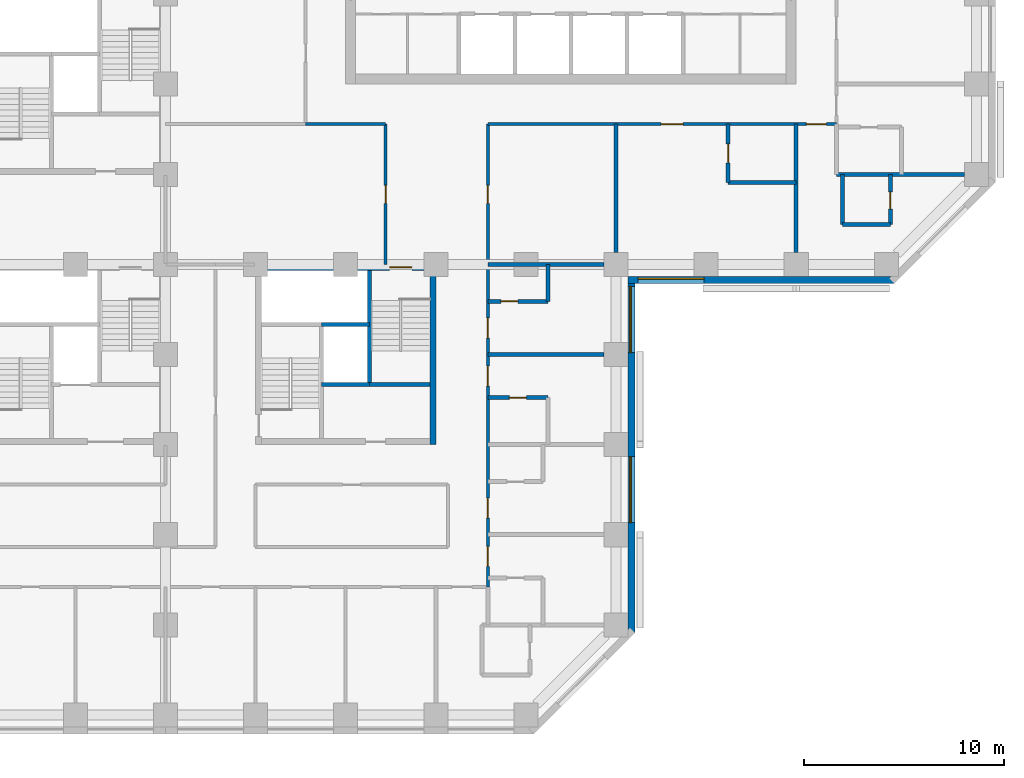
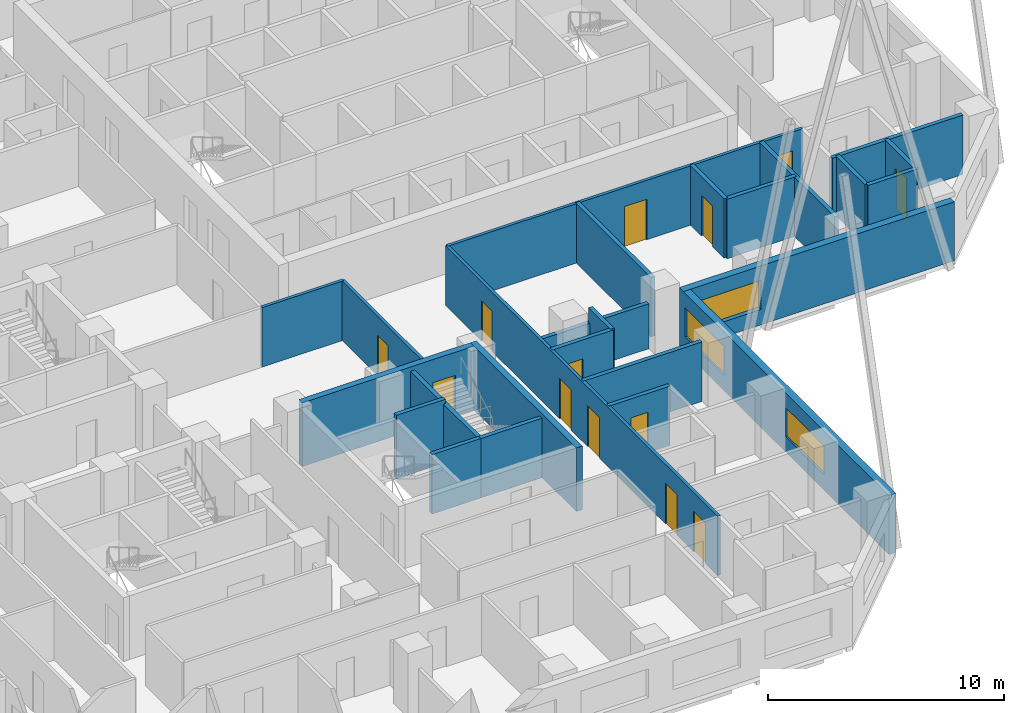
# One storey, part 6 of 14: 25 walls, 13 doors, 3 windows, 16 openings.
"""IFC4 building model written with IfcOpenShell, lengths in metres."""

import ifcopenshell
import ifcopenshell.guid

model = None  # the IFC model being written
_history = None  # IfcOwnerHistory: only IFC2X3 demands one
_inside = {}  # id of a spatial element -> (the spatial element, [elements in it])
_under = {}  # id of a project, library or spatial element -> (it, [spatial elements below it])
_declared = {}  # id of a project -> (the project, [libraries it declares])
_typed = {}  # id of a type object -> (the type object, [elements of that type])
_made_of = {}  # id of a material, layer set ... -> (it, [elements and type objects made of it])


def new_model(schema):
    """Start an empty IFC model of exactly this schema.

    Asked for "IFC4X3", IfcOpenShell would pick the latest addendum, in which some entities
    have other attributes; the version numbers below select the first issue.
    IFC2X3 requires an IfcOwnerHistory on every rooted entity: one is made here for all.
    """
    global model, _history
    if schema == "IFC4X3":
        model = ifcopenshell.file(schema_version=(4, 3, 0, 0))
    else:
        model = ifcopenshell.file(schema=schema)
    _inside.clear()
    _under.clear()
    _declared.clear()
    _typed.clear()
    _made_of.clear()
    _history = None
    if model.schema == "IFC2X3":
        org = make("IfcOrganization", Name="unknown")
        user = make(
            "IfcPersonAndOrganization",
            ThePerson=make("IfcPerson", FamilyName="unknown"),
            TheOrganization=org,
        )
        app = make(
            "IfcApplication",
            ApplicationDeveloper=org,
            Version="unknown",
            ApplicationFullName="unknown",
            ApplicationIdentifier="unknown",
        )
        _history = make(
            "IfcOwnerHistory",
            OwningUser=user,
            OwningApplication=app,
            ChangeAction="ADDED",
            CreationDate=0,
        )
    return model


def make(cls, **values):
    """One entity of the class cls with the attributes given. An attribute that is None is left unset."""
    return model.create_entity(
        cls, **{name: value for name, value in values.items() if value is not None}
    )


def rooted(cls, **values):
    """An entity with a GlobalId (a new one), such as an element, a storey or a relation."""
    return make(cls, GlobalId=ifcopenshell.guid.new(), OwnerHistory=_history, **values)


def si_unit(unit_type, name, prefix=None):
    """IfcSIUnit, for example si_unit("LENGTHUNIT", "METRE", prefix="MILLI")."""
    return make("IfcSIUnit", UnitType=unit_type, Prefix=prefix, Name=name)


def assignment(units):
    """IfcUnitAssignment: the units of a project."""
    return None if units is None else make("IfcUnitAssignment", Units=units)


def point(xyz):
    """IfcCartesianPoint."""
    return None if xyz is None else make("IfcCartesianPoint", Coordinates=xyz)


def direction(xyz):
    """IfcDirection."""
    return None if xyz is None else make("IfcDirection", DirectionRatios=xyz)


def frame(location, z_axis=None, x_axis=None):
    """IfcAxis2Placement3D, a coordinate frame: its origin and axes. An axis left out is left unset."""
    return make(
        "IfcAxis2Placement3D",
        Location=point(location),
        Axis=direction(z_axis),
        RefDirection=direction(x_axis),
    )


def frame_2d(location, x_axis=None):
    """IfcAxis2Placement2D, a coordinate frame in the plane: its origin and x axis."""
    return make(
        "IfcAxis2Placement2D", Location=point(location), RefDirection=direction(x_axis)
    )


def origin():
    """The frame at (0, 0, 0) with its axes left unset."""
    return frame((0.0, 0.0, 0.0))


def place(relative_to, where):
    """IfcLocalPlacement: puts the frame where relative to a parent placement (None: the world)."""
    return make(
        "IfcLocalPlacement", PlacementRelTo=relative_to, RelativePlacement=where
    )


def context(
    kind, dimensions, precision=None, world=None, true_north=None, identifier=None
):
    """IfcGeometricRepresentationContext, for example the 3D "Model" context."""
    return make(
        "IfcGeometricRepresentationContext",
        ContextIdentifier=identifier,
        ContextType=kind,
        CoordinateSpaceDimension=dimensions,
        Precision=precision,
        WorldCoordinateSystem=world,
        TrueNorth=true_north,
    )


def subcontext(parent, identifier, kind, view, scale=None):
    """IfcGeometricRepresentationSubContext, for example "Body" below "Model"."""
    return make(
        "IfcGeometricRepresentationSubContext",
        ContextIdentifier=identifier,
        ContextType=kind,
        ParentContext=parent,
        TargetScale=scale,
        TargetView=view,
    )


def project(units=None, contexts=None):
    """IfcProject with its units and contexts."""
    return rooted(
        "IfcProject",
        Name="project",
        RepresentationContexts=contexts,
        UnitsInContext=assignment(units),
    )


def spatial(cls, under=None, at=None, **own):
    """A site, building, storey or space (cls), placed at a placement, below another one or the project."""
    s = rooted(cls, ObjectPlacement=at, **own)
    if under is not None:
        _under.setdefault(under.id(), (under, []))[1].append(s)
    return s


def profile(cls, at=None, kind="AREA", **sizes):
    """A parametric profile (cls). Its sizes go by their IFC names, for example OverallWidth=200.0."""
    return make(cls, ProfileType=kind, Position=at, **sizes)


def rectangle(**sizes):
    """IfcRectangleProfileDef."""
    return profile("IfcRectangleProfileDef", **sizes)


def extrude(swept, where, along, depth):
    """IfcExtrudedAreaSolid: the profile swept, set in the frame where, extruded along a direction by depth."""
    return make(
        "IfcExtrudedAreaSolid",
        SweptArea=swept,
        Position=where,
        ExtrudedDirection=direction(along),
        Depth=depth,
    )


def shape(context_of_items, identifier, shape_type, items):
    """IfcShapeRepresentation: the items that make up one representation, for example the "Body"."""
    return make(
        "IfcShapeRepresentation",
        ContextOfItems=context_of_items,
        RepresentationIdentifier=identifier,
        RepresentationType=shape_type,
        Items=items,
    )


def material(Name=None, Category=None):
    """IfcMaterial."""
    return make("IfcMaterial", Name=Name, Category=Category)


def layer(
    of_material, thickness, ventilated=None, Name=None, Category=None, Priority=None
):
    """IfcMaterialLayer: one layer of a wall or slab, of a material (None: an air gap)."""
    return make(
        "IfcMaterialLayer",
        Material=of_material,
        LayerThickness=thickness,
        IsVentilated=ventilated,
        Name=Name,
        Category=Category,
        Priority=Priority,
    )


def layer_set(layers, Name=None):
    """IfcMaterialLayerSet."""
    return make("IfcMaterialLayerSet", MaterialLayers=layers, LayerSetName=Name)


def constituent(of_material, Name=None, Category=None, fraction=None):
    """IfcMaterialConstituent: one of the materials an element consists of."""
    return make(
        "IfcMaterialConstituent",
        Name=Name,
        Material=of_material,
        Fraction=fraction,
        Category=Category,
    )


def constituent_set(constituents=None, Name=None):
    """IfcMaterialConstituentSet."""
    return make(
        "IfcMaterialConstituentSet", Name=Name, MaterialConstituents=constituents
    )


def made_of(thing, what):
    """Note that an element or type object is made of a material, layer set ...; save() writes the relation."""
    if what is not None:
        _made_of.setdefault(what.id(), (what, []))[1].append(thing)
    return thing


def type_object(cls, material=None, **own):
    """A type object (cls), such as IfcWallType, which elements share."""
    return made_of(rooted(cls, **own), material)


def element(
    cls,
    number,
    at=None,
    inside=None,
    cuts=None,
    type_object=None,
    material=None,
    context=None,
    identifier="Body",
    shape_type=None,
    held_by="IfcProductDefinitionShape",
    body=None,
    shapes=None,
    **own,
):
    """One element of the class cls, such as IfcWall. Its Tag is "e" and its number.

    at: its placement. inside: the storey or other place that contains it. cuts: it is an
    opening in that element (IfcRelVoidsElement). A single representation is given by context,
    identifier, shape_type and body (its items); several are given by shapes. held_by: the class
    of the entity that holds the representations. save() writes the other relations.
    """
    e = rooted(cls, Tag="e%d" % number, ObjectPlacement=at, **own)
    if body is not None:
        shapes = [shape(context, identifier, shape_type, body)]
    if shapes is not None:
        e.Representation = make(held_by, Representations=shapes)
    if inside is not None:
        _inside.setdefault(inside.id(), (inside, []))[1].append(e)
    if cuts is not None:
        rooted(
            "IfcRelVoidsElement", RelatingBuildingElement=cuts, RelatedOpeningElement=e
        )
    if type_object is not None:
        _typed.setdefault(type_object.id(), (type_object, []))[1].append(e)
    return made_of(e, material)


def fill(opening, filler):
    """IfcRelFillsElement: the door or window that sits in an opening."""
    return rooted(
        "IfcRelFillsElement",
        RelatingOpeningElement=opening,
        RelatedBuildingElement=filler,
    )


def aggregate(whole, parts):
    """IfcRelAggregates: a whole, such as a stair, and the parts it consists of."""
    return rooted("IfcRelAggregates", RelatingObject=whole, RelatedObjects=parts)


def save(model, path):
    """Write the relations noted so far, then the file.

    IfcRelAggregates (storeys below a building ...), IfcRelContainedInSpatialStructure (elements
    in a storey), IfcRelDefinesByType, IfcRelAssociatesMaterial and IfcRelDeclares: one each for
    every whole, place, type object, material and project.
    """
    for whole, parts in _under.values():
        aggregate(whole, parts)
    for where, things in _inside.values():
        rooted(
            "IfcRelContainedInSpatialStructure",
            RelatedElements=things,
            RelatingStructure=where,
        )
    for kind, things in _typed.values():
        rooted("IfcRelDefinesByType", RelatedObjects=things, RelatingType=kind)
    for what, things in _made_of.values():
        rooted("IfcRelAssociatesMaterial", RelatedObjects=things, RelatingMaterial=what)
    for by, libraries in _declared.values():
        rooted("IfcRelDeclares", RelatingContext=by, RelatedDefinitions=libraries)
    model.write(path)


model = new_model("IFC4")

# Units and contexts
model_context = context("Model", 3, precision=1e-05, world=origin(), true_north=direction((0.0, 1.0)))
body_context = subcontext(model_context, "Body", "Model", "MODEL_VIEW")
ifc_project = project(units=[si_unit("LENGTHUNIT", "METRE"), si_unit("AREAUNIT", "SQUARE_METRE"), si_unit("VOLUMEUNIT", "CUBIC_METRE"), si_unit("PLANEANGLEUNIT", "RADIAN"), si_unit("MASSUNIT", "GRAM", prefix="KILO")], contexts=[model_context])

# Site, building, storey
site_placement = place(None, origin())
site = spatial("IfcSite", under=ifc_project, at=site_placement, CompositionType="ELEMENT")
building_placement = place(site_placement, origin())
building = spatial("IfcBuilding", under=site, at=building_placement, Name="Quoin Convention Tower", CompositionType="ELEMENT")
storey_placement = place(building_placement, frame((0.0, 0.0, 66.0)))
storey = spatial("IfcBuildingStorey", under=building, at=storey_placement, Name="L17", CompositionType="ELEMENT", Elevation=66.0)

# Wall, openings, windows
ifc_material_1 = material(Name="Brick masonry", Category="masonry")
ifc_layer_1 = layer(ifc_material_1, 0.35009765625)
ifc_layer_set_1 = layer_set([ifc_layer_1], Name="Brick masonry")
wall_type_1 = type_object("IfcWallType", Name="Brick facade wall", PredefinedType="STANDARD", material=ifc_layer_set_1)
wall_1_placement = place(storey_placement, frame((59.27490234375, 22.1064453125, 0.0), z_axis=(0.0, 0.0, 1.0), x_axis=(0.0, 1.0, 0.0)))
wall_1 = element("IfcWall", 1, at=wall_1_placement, inside=storey, type_object=wall_type_1, Name="fw-L17-58500_22500", PredefinedType="STANDARD", context=body_context, shape_type="SweptSolid", body=[
    extrude(rectangle(XDim=17.79345703125, YDim=0.35009765625, at=frame_2d((8.896728515625, 0.0))), origin(), (0.0, 0.0, 1.0), 3.054931640625),
])
opening_1_placement = place(wall_1_placement, frame((5.493408203125, 0.0, 0.800048828125)))
opening_1 = element("IfcOpeningElement", 2, at=opening_1_placement, cuts=wall_1, Name="Opening W-01", PredefinedType="OPENING", context=body_context, shape_type="SweptSolid", body=[
    extrude(rectangle(XDim=3.300048828125, YDim=1.5, at=frame_2d((1.64990234375, 0.75))), frame((0.0, 0.18505859375, 0.0), z_axis=(0.0, -1.0, 0.0), x_axis=(1.0, 0.0, 0.0)), (0.0, 0.0, 1.0), 0.3701171875),
])
opening_2_placement = place(wall_1_placement, frame((13.993408203125, 0.0, 0.800048828125)))
opening_2 = element("IfcOpeningElement", 3, at=opening_2_placement, cuts=wall_1, Name="Opening W-01", PredefinedType="OPENING", context=body_context, shape_type="SweptSolid", body=[
    extrude(rectangle(XDim=3.300048828125, YDim=1.5, at=frame_2d((1.64990234375, 0.75))), frame((0.0, 0.18505859375, 0.0), z_axis=(0.0, -1.0, 0.0), x_axis=(1.0, 0.0, 0.0)), (0.0, 0.0, 1.0), 0.3701171875),
])
ifc_material_2 = material(Name="Aluminium", Category="aluminium")
ifc_constituent_1 = constituent(ifc_material_2, Name="Frame")
ifc_material_3 = material(Name="Insulated glass", Category="glass")
ifc_constituent_2 = constituent(ifc_material_3, Name="Glazing")
ifc_constituent_set = constituent_set(constituents=[ifc_constituent_1, ifc_constituent_2], Name="Aluminium")
window_type = type_object("IfcWindowType", Name="Hotel strip window", PartitioningType="DOUBLE_PANEL_VERTICAL", PredefinedType="WINDOW", material=ifc_constituent_set)
window_1_placement = place(opening_1_placement, origin())
window_1 = element("IfcWindow", 4, at=window_1_placement, inside=storey, type_object=window_type, Name="win-L17-59275_29250", OverallHeight=1.5, OverallWidth=3.300048828125, PartitioningType="SINGLE_PANEL", PredefinedType="WINDOW", context=body_context, shape_type="SweptSolid", body=[
    extrude(rectangle(XDim=3.300048828125, YDim=1.5, at=frame_2d((1.64990234375, 0.75))), frame((0.0, 0.0849609375, 0.0), z_axis=(0.0, -1.0, 0.0), x_axis=(1.0, 0.0, 0.0)), (0.0, 0.0, 1.0), 0.06005859375),
])
fill(opening_1, window_1)
window_2_placement = place(opening_2_placement, origin())
window_2 = element("IfcWindow", 5, at=window_2_placement, inside=storey, type_object=window_type, Name="win-L17-59275_38250", OverallHeight=1.5, OverallWidth=3.300048828125, PartitioningType="SINGLE_PANEL", PredefinedType="WINDOW", context=body_context, shape_type="SweptSolid", body=[
    extrude(rectangle(XDim=3.300048828125, YDim=1.5, at=frame_2d((1.64990234375, 0.75))), frame((0.0, 0.0849609375, 0.0), z_axis=(0.0, -1.0, 0.0), x_axis=(1.0, 0.0, 0.0)), (0.0, 0.0, 1.0), 0.06005859375),
])
fill(opening_2, window_2)

# Wall, opening, window
wall_2_placement = place(storey_placement, frame((59.10009765625, 39.72509765625, 0.0), z_axis=(0.0, 0.0, 1.0), x_axis=(1.0, 0.0, 0.0)))
wall_2 = element("IfcWall", 6, at=wall_2_placement, inside=storey, type_object=wall_type_1, Name="fw-L17-58500_40500", PredefinedType="STANDARD", context=body_context, shape_type="SweptSolid", body=[
    extrude(rectangle(XDim=13.29345703125, YDim=0.35009765625, at=frame_2d((6.646728515625, 0.0))), origin(), (0.0, 0.0, 1.0), 3.054931640625),
])
opening_3_placement = place(wall_2_placement, frame((0.5, 0.0, 0.800048828125)))
opening_3 = element("IfcOpeningElement", 7, at=opening_3_placement, cuts=wall_2, Name="Opening W-01", PredefinedType="OPENING", context=body_context, shape_type="SweptSolid", body=[
    extrude(rectangle(XDim=3.300048828125, YDim=1.5, at=frame_2d((1.64990234375, 0.75))), frame((0.0, 0.18505859375, 0.0), z_axis=(0.0, -1.0, 0.0), x_axis=(1.0, 0.0, 0.0)), (0.0, 0.0, 1.0), 0.3701171875),
])
window_3_placement = place(opening_3_placement, origin())
window_3 = element("IfcWindow", 8, at=window_3_placement, inside=storey, type_object=window_type, Name="win-L17-60750_39725", OverallHeight=1.5, OverallWidth=3.300048828125, PartitioningType="SINGLE_PANEL", PredefinedType="WINDOW", context=body_context, shape_type="SweptSolid", body=[
    extrude(rectangle(XDim=3.300048828125, YDim=1.5, at=frame_2d((1.64990234375, 0.75))), frame((0.0, 0.0849609375, 0.0), z_axis=(0.0, -1.0, 0.0), x_axis=(1.0, 0.0, 0.0)), (0.0, 0.0, 1.0), 0.06005859375),
])
fill(opening_3, window_3)

# Walls
ifc_material_4 = material(Name="Concrete C50", Category="concrete")
ifc_layer_2 = layer(ifc_material_4, 0.199951171875)
ifc_layer_set_2 = layer_set([ifc_layer_2], Name="Concrete C50")
wall_type_2 = type_object("IfcWallType", Name="Core shaft wall", PredefinedType="SOLIDWALL", material=ifc_layer_set_2)
wall_3_placement = place(storey_placement, frame((43.800048828125, 34.5, 0.0), z_axis=(0.0, 0.0, 1.0), x_axis=(1.0, 0.0, 0.0)))
element("IfcWall", 9, at=wall_3_placement, inside=storey, type_object=wall_type_2, Name="cr-P3-L17-h3000_3300", PredefinedType="SOLIDWALL", context=body_context, shape_type="SweptSolid", body=[
    extrude(rectangle(XDim=2.39990234375, YDim=0.199951171875, at=frame_2d((1.199951171875, 0.0))), origin(), (0.0, 0.0, 1.0), 3.080078125),
])
wall_4_placement = place(storey_placement, frame((46.199951171875, 34.5, 0.0), z_axis=(0.0, 0.0, 1.0), x_axis=(1.0, 0.0, 0.0)))
element("IfcWall", 10, at=wall_4_placement, inside=storey, type_object=wall_type_2, Name="cr-P3-L17-h3000_5700", PredefinedType="SOLIDWALL", context=body_context, shape_type="SweptSolid", body=[
    extrude(rectangle(XDim=3.0, YDim=0.199951171875, at=frame_2d((1.5, 0.0))), origin(), (0.0, 0.0, 1.0), 3.080078125),
])
wall_5_placement = place(storey_placement, frame((46.199951171875, 34.5, 0.0), z_axis=(0.0, 0.0, 1.0), x_axis=(0.0, 1.0, 0.0)))
element("IfcWall", 11, at=wall_5_placement, inside=storey, type_object=wall_type_2, Name="cr-P3-L17-v5700_3000", PredefinedType="SOLIDWALL", context=body_context, shape_type="SweptSolid", body=[
    extrude(rectangle(XDim=5.699951171875, YDim=0.199951171875, at=frame_2d((2.85009765625, 0.0))), origin(), (0.0, 0.0, 1.0), 3.080078125),
])
ifc_layer_3 = layer(ifc_material_4, 0.199951171875)
ifc_layer_set_3 = layer_set([ifc_layer_3], Name="Concrete C50")
wall_type_3 = type_object("IfcWallType", Name="Core shaft wall to the floor level over", PredefinedType="SOLIDWALL", material=ifc_layer_set_3)
wall_6_placement = place(storey_placement, frame((43.800048828125, 37.5, 0.0), z_axis=(0.0, 0.0, 1.0), x_axis=(1.0, 0.0, 0.0)))
element("IfcWall", 12, at=wall_6_placement, inside=storey, type_object=wall_type_3, Name="cr-P3-L17-h6000_3300", PredefinedType="SOLIDWALL", context=body_context, shape_type="SweptSolid", body=[
    extrude(rectangle(XDim=2.39990234375, YDim=0.199951171875, at=frame_2d((1.199951171875, 0.0))), origin(), (0.0, 0.0, 1.0), 3.300048828125),
])

# Wall, opening, door
ifc_material_5 = material(Name="Concrete C80", Category="concrete")
ifc_layer_4 = layer(ifc_material_5, 0.300048828125)
ifc_layer_set_4 = layer_set([ifc_layer_4], Name="Concrete C80")
wall_type_4 = type_object("IfcWallType", Name="RC CORE WALL 300 C80", PredefinedType="SHEAR", material=ifc_layer_set_4)
wall_7_placement = place(storey_placement, frame((40.800048828125, 40.35009765625, 0.0), z_axis=(0.0, 0.0, 1.0), x_axis=(1.0, 0.0, 0.0)))
wall_7 = element("IfcWall", 13, at=wall_7_placement, inside=storey, type_object=wall_type_4, Name="cwl-P3-L17-N", PredefinedType="SHEAR", context=body_context, shape_type="SweptSolid", body=[
    extrude(rectangle(XDim=8.39990234375, YDim=0.300048828125, at=frame_2d((4.199951171875, 0.0))), origin(), (0.0, 0.0, 1.0), 3.300048828125),
])
opening_4_placement = place(wall_7_placement, frame((6.39990234375, 0.0, 0.0)))
opening_4 = element("IfcOpeningElement", 14, at=opening_4_placement, cuts=wall_7, Name="Opening SD6", PredefinedType="OPENING", context=body_context, shape_type="SweptSolid", body=[
    extrude(rectangle(XDim=1.10009765625, YDim=2.10009765625, at=frame_2d((0.550048828125, 1.050048828125))), frame((0.0, 0.159912109375, 0.0), z_axis=(0.0, -1.0, 0.0), x_axis=(1.0, 0.0, 0.0)), (0.0, 0.0, 1.0), 0.320068359375),
])
ifc_material_6 = material(Name="Steel door leaf", Category="steel")
door_type_1 = type_object("IfcDoorType", Name="Stair door 1100 x 2100", OperationType="SINGLE_SWING_RIGHT", PredefinedType="DOOR", material=ifc_material_6)
door_1_placement = place(opening_4_placement, frame((1.10009765625, 0.0, 0.0), z_axis=(0.0, 0.0, 1.0), x_axis=(-1.0, 0.0, 0.0)))
door_1 = element("IfcDoor", 15, at=door_1_placement, inside=storey, type_object=door_type_1, Name="cd-P3-L17-SB-N", OperationType="SINGLE_SWING_LEFT", OverallHeight=2.10009765625, OverallWidth=1.10009765625, PredefinedType="DOOR", context=body_context, shape_type="SweptSolid", body=[
    extrude(rectangle(XDim=1.10009765625, YDim=2.10009765625, at=frame_2d((0.550048828125, 1.050048828125))), frame((0.0, 0.02490234375, 0.0), z_axis=(0.0, -1.0, 0.0), x_axis=(1.0, 0.0, 0.0)), (0.0, 0.0, 1.0), 0.050048828125),
])
fill(opening_4, door_1)

# Wall
wall_8_placement = place(storey_placement, frame((49.35009765625, 31.5, 0.0), z_axis=(0.0, 0.0, 1.0), x_axis=(0.0, 1.0, 0.0)))
element("IfcWall", 16, at=wall_8_placement, inside=storey, type_object=wall_type_4, Name="cwl-P3-L17-E", PredefinedType="SHEAR", context=body_context, shape_type="SweptSolid", body=[
    extrude(rectangle(XDim=9.0, YDim=0.300048828125, at=frame_2d((4.5, 0.0))), origin(), (0.0, 0.0, 1.0), 3.300048828125),
])

# Wall, opening, door
ifc_layer_5 = layer(ifc_material_4, 0.199951171875)
ifc_layer_set_5 = layer_set([ifc_layer_5], Name="Concrete C50")
wall_type_5 = type_object("IfcWallType", Name="RC party wall", PredefinedType="SOLIDWALL", material=ifc_layer_set_5)
wall_9_placement = place(storey_placement, frame((52.10009765625, 33.85009765625, 0.0), z_axis=(0.0, 0.0, 1.0), x_axis=(1.0, 0.0, 0.0)))
wall_9 = element("IfcWall", 17, at=wall_9_placement, inside=storey, type_object=wall_type_5, Name="pw-L17-065", PredefinedType="SOLIDWALL", context=body_context, shape_type="SweptSolid", body=[
    extrude(rectangle(XDim=3.0, YDim=0.199951171875, at=frame_2d((1.5, 0.0))), origin(), (0.0, 0.0, 1.0), 3.080078125),
])
opening_5_placement = place(wall_9_placement, frame((1.074951171875, 0.0, 0.0)))
opening_5 = element("IfcOpeningElement", 18, at=opening_5_placement, cuts=wall_9, Name="Opening DHOTEL-G-54", PredefinedType="OPENING", context=body_context, shape_type="SweptSolid", body=[
    extrude(rectangle(XDim=0.85009765625, YDim=2.10009765625, at=frame_2d((0.425048828125, 1.050048828125))), frame((0.0, 0.10986328125, 0.0), z_axis=(0.0, -1.0, 0.0), x_axis=(1.0, 0.0, 0.0)), (0.0, 0.0, 1.0), 0.219970703125),
])
door_type_2 = type_object("IfcDoorType", Name="Bathroom door", OperationType="SINGLE_SWING_LEFT", PredefinedType="DOOR", material=ifc_material_6)
door_2_placement = place(opening_5_placement, origin())
door_2 = element("IfcDoor", 19, at=door_2_placement, inside=storey, type_object=door_type_2, Name="dr-L17-026", OperationType="SINGLE_SWING_LEFT", OverallHeight=2.10009765625, OverallWidth=0.85009765625, PredefinedType="DOOR", context=body_context, shape_type="SweptSolid", body=[
    extrude(rectangle(XDim=0.85009765625, YDim=2.10009765625, at=frame_2d((0.425048828125, 1.050048828125))), frame((0.0, 0.02490234375, 0.0), z_axis=(0.0, -1.0, 0.0), x_axis=(1.0, 0.0, 0.0)), (0.0, 0.0, 1.0), 0.050048828125),
])
fill(opening_5, door_2)

# Wall
wall_10_placement = place(storey_placement, frame((52.10009765625, 36.0, 0.0), z_axis=(0.0, 0.0, 1.0), x_axis=(1.0, 0.0, 0.0)))
element("IfcWall", 20, at=wall_10_placement, inside=storey, type_object=wall_type_5, Name="pw-L17-067", PredefinedType="SOLIDWALL", context=body_context, shape_type="SweptSolid", body=[
    extrude(rectangle(XDim=5.7998046875, YDim=0.199951171875, at=frame_2d((2.89990234375, 0.0))), origin(), (0.0, 0.0, 1.0), 3.080078125),
])

# Wall, opening, door
wall_11_placement = place(storey_placement, frame((52.10009765625, 38.64990234375, 0.0), z_axis=(0.0, 0.0, 1.0), x_axis=(1.0, 0.0, 0.0)))
wall_11 = element("IfcWall", 21, at=wall_11_placement, inside=storey, type_object=wall_type_5, Name="pw-L17-070", PredefinedType="SOLIDWALL", context=body_context, shape_type="SweptSolid", body=[
    extrude(rectangle(XDim=3.0, YDim=0.199951171875, at=frame_2d((1.5, 0.0))), origin(), (0.0, 0.0, 1.0), 3.080078125),
])
opening_6_placement = place(wall_11_placement, frame((0.64990234375, 0.0, 0.0)))
opening_6 = element("IfcOpeningElement", 22, at=opening_6_placement, cuts=wall_11, Name="Opening DHOTEL-G-56", PredefinedType="OPENING", context=body_context, shape_type="SweptSolid", body=[
    extrude(rectangle(XDim=0.85009765625, YDim=2.10009765625, at=frame_2d((0.425048828125, 1.050048828125))), frame((0.0, 0.10986328125, 0.0), z_axis=(0.0, -1.0, 0.0), x_axis=(1.0, 0.0, 0.0)), (0.0, 0.0, 1.0), 0.219970703125),
])
door_3_placement = place(opening_6_placement, frame((0.85009765625, 0.0, 0.0), z_axis=(0.0, 0.0, 1.0), x_axis=(-1.0, 0.0, 0.0)))
door_3 = element("IfcDoor", 23, at=door_3_placement, inside=storey, type_object=door_type_2, Name="dr-L17-028", OperationType="SINGLE_SWING_RIGHT", OverallHeight=2.10009765625, OverallWidth=0.85009765625, PredefinedType="DOOR", context=body_context, shape_type="SweptSolid", body=[
    extrude(rectangle(XDim=0.85009765625, YDim=2.10009765625, at=frame_2d((0.425048828125, 1.050048828125))), frame((0.0, 0.02490234375, 0.0), z_axis=(0.0, -1.0, 0.0), x_axis=(1.0, 0.0, 0.0)), (0.0, 0.0, 1.0), 0.050048828125),
])
fill(opening_6, door_3)

# Walls
wall_12_placement = place(storey_placement, frame((55.10009765625, 38.64990234375, 0.0), z_axis=(0.0, 0.0, 1.0), x_axis=(0.0, 1.0, 0.0)))
element("IfcWall", 24, at=wall_12_placement, inside=storey, type_object=wall_type_5, Name="pw-L17-071", PredefinedType="SOLIDWALL", context=body_context, shape_type="SweptSolid", body=[
    extrude(rectangle(XDim=1.85009765625, YDim=0.199951171875, at=frame_2d((0.925048828125, 0.0))), origin(), (0.0, 0.0, 1.0), 3.080078125),
])
wall_13_placement = place(storey_placement, frame((67.5, 41.10009765625, 0.0), z_axis=(0.0, 0.0, 1.0), x_axis=(0.0, 1.0, 0.0)))
element("IfcWall", 25, at=wall_13_placement, inside=storey, type_object=wall_type_5, Name="pw-L17-073", PredefinedType="SOLIDWALL", context=body_context, shape_type="SweptSolid", body=[
    extrude(rectangle(XDim=6.39990234375, YDim=0.199951171875, at=frame_2d((3.199951171875, 0.0))), origin(), (0.0, 0.0, 1.0), 3.080078125),
])
wall_14_placement = place(storey_placement, frame((69.800048828125, 42.5, 0.0), z_axis=(0.0, 0.0, 1.0), x_axis=(1.0, 0.0, 0.0)))
element("IfcWall", 26, at=wall_14_placement, inside=storey, type_object=wall_type_5, Name="pw-L17-075", PredefinedType="SOLIDWALL", context=body_context, shape_type="SweptSolid", body=[
    extrude(rectangle(XDim=2.39990234375, YDim=0.199951171875, at=frame_2d((1.199951171875, 0.0))), origin(), (0.0, 0.0, 1.0), 3.080078125),
])
wall_15_placement = place(storey_placement, frame((69.800048828125, 42.5, 0.0), z_axis=(0.0, 0.0, 1.0), x_axis=(0.0, 1.0, 0.0)))
element("IfcWall", 27, at=wall_15_placement, inside=storey, type_object=wall_type_5, Name="pw-L17-076", PredefinedType="SOLIDWALL", context=body_context, shape_type="SweptSolid", body=[
    extrude(rectangle(XDim=2.5, YDim=0.199951171875, at=frame_2d((1.25, 0.0))), origin(), (0.0, 0.0, 1.0), 3.080078125),
])

# Wall, opening, door
wall_16_placement = place(storey_placement, frame((72.199951171875, 42.5, 0.0), z_axis=(0.0, 0.0, 1.0), x_axis=(0.0, 1.0, 0.0)))
wall_16 = element("IfcWall", 28, at=wall_16_placement, inside=storey, type_object=wall_type_5, Name="pw-L17-077", PredefinedType="SOLIDWALL", context=body_context, shape_type="SweptSolid", body=[
    extrude(rectangle(XDim=2.5, YDim=0.199951171875, at=frame_2d((1.25, 0.0))), origin(), (0.0, 0.0, 1.0), 3.080078125),
])
opening_7_placement = place(wall_16_placement, frame((0.77490234375, 0.0, 0.0)))
opening_7 = element("IfcOpeningElement", 29, at=opening_7_placement, cuts=wall_16, Name="Opening DHOTEL-G-58", PredefinedType="OPENING", context=body_context, shape_type="SweptSolid", body=[
    extrude(rectangle(XDim=0.85009765625, YDim=2.10009765625, at=frame_2d((0.425048828125, 1.050048828125))), frame((0.0, 0.10986328125, 0.0), z_axis=(0.0, -1.0, 0.0), x_axis=(1.0, 0.0, 0.0)), (0.0, 0.0, 1.0), 0.219970703125),
])
door_4_placement = place(opening_7_placement, frame((0.85009765625, 0.0, 0.0), z_axis=(0.0, 0.0, 1.0), x_axis=(-1.0, 0.0, 0.0)))
door_4 = element("IfcDoor", 30, at=door_4_placement, inside=storey, type_object=door_type_2, Name="dr-L17-076", OperationType="SINGLE_SWING_LEFT", OverallHeight=2.10009765625, OverallWidth=0.85009765625, PredefinedType="DOOR", context=body_context, shape_type="SweptSolid", body=[
    extrude(rectangle(XDim=0.85009765625, YDim=2.10009765625, at=frame_2d((0.425048828125, 1.050048828125))), frame((0.0, 0.02490234375, 0.0), z_axis=(0.0, -1.0, 0.0), x_axis=(1.0, 0.0, 0.0)), (0.0, 0.0, 1.0), 0.050048828125),
])
fill(opening_7, door_4)

# Wall
wall_17_placement = place(storey_placement, frame((64.10009765625, 44.60009765625, 0.0), z_axis=(0.0, 0.0, 1.0), x_axis=(1.0, 0.0, 0.0)))
element("IfcWall", 31, at=wall_17_placement, inside=storey, type_object=wall_type_5, Name="pw-L17-078", PredefinedType="SOLIDWALL", context=body_context, shape_type="SweptSolid", body=[
    extrude(rectangle(XDim=3.39990234375, YDim=0.199951171875, at=frame_2d((1.699951171875, 0.0))), origin(), (0.0, 0.0, 1.0), 3.080078125),
])

# Wall, opening, door
wall_18_placement = place(storey_placement, frame((64.10009765625, 44.60009765625, 0.0), z_axis=(0.0, 0.0, 1.0), x_axis=(0.0, 1.0, 0.0)))
wall_18 = element("IfcWall", 32, at=wall_18_placement, inside=storey, type_object=wall_type_5, Name="pw-L17-079", PredefinedType="SOLIDWALL", context=body_context, shape_type="SweptSolid", body=[
    extrude(rectangle(XDim=2.89990234375, YDim=0.199951171875, at=frame_2d((1.449951171875, 0.0))), origin(), (0.0, 0.0, 1.0), 3.080078125),
])
opening_8_placement = place(wall_18_placement, frame((0.97509765625, 0.0, 0.0)))
opening_8 = element("IfcOpeningElement", 33, at=opening_8_placement, cuts=wall_18, Name="Opening DHOTEL-G-59", PredefinedType="OPENING", context=body_context, shape_type="SweptSolid", body=[
    extrude(rectangle(XDim=0.949951171875, YDim=2.10009765625, at=frame_2d((0.47509765625, 1.050048828125))), frame((0.0, 0.10986328125, 0.0), z_axis=(0.0, -1.0, 0.0), x_axis=(1.0, 0.0, 0.0)), (0.0, 0.0, 1.0), 0.219970703125),
])
door_type_3 = type_object("IfcDoorType", Name="Accessible bathroom door", OperationType="SINGLE_SWING_LEFT", PredefinedType="DOOR", material=ifc_material_6)
door_5_placement = place(opening_8_placement, origin())
door_5 = element("IfcDoor", 34, at=door_5_placement, inside=storey, type_object=door_type_3, Name="dr-L17-064", OperationType="SINGLE_SWING_RIGHT", OverallHeight=2.10009765625, OverallWidth=0.949951171875, PredefinedType="DOOR", context=body_context, shape_type="SweptSolid", body=[
    extrude(rectangle(XDim=0.949951171875, YDim=2.10009765625, at=frame_2d((0.47509765625, 1.050048828125))), frame((0.0, 0.02490234375, 0.0), z_axis=(0.0, -1.0, 0.0), x_axis=(1.0, 0.0, 0.0)), (0.0, 0.0, 1.0), 0.050048828125),
])
fill(opening_8, door_5)

# Wall
wall_19_placement = place(storey_placement, frame((69.5, 45.0, 0.0), z_axis=(0.0, 0.0, 1.0), x_axis=(1.0, 0.0, 0.0)))
element("IfcWall", 35, at=wall_19_placement, inside=storey, type_object=wall_type_5, Name="pw-L17-081", PredefinedType="SOLIDWALL", context=body_context, shape_type="SweptSolid", body=[
    extrude(rectangle(XDim=6.39990234375, YDim=0.199951171875, at=frame_2d((3.199951171875, 0.0))), origin(), (0.0, 0.0, 1.0), 3.080078125),
])

# Wall, openings, doors
ifc_material_7 = material(Name="Plasterboard")
ifc_layer_6 = layer(ifc_material_7, 0.012451171875, Name="Finish")
ifc_material_8 = material(Name="Steel stud framing", Category="steel")
ifc_layer_7 = layer(ifc_material_8, 0.125, Name="Structure")
ifc_layer_8 = layer(ifc_material_7, 0.012451171875, Name="Finish")
ifc_layer_set_6 = layer_set([ifc_layer_6, ifc_layer_7, ifc_layer_8], Name="Steel stud framing")
wall_type_6 = type_object("IfcWallType", Name="corridor partition", PredefinedType="PARTITIONING", material=ifc_layer_set_6)
wall_20_placement = place(storey_placement, frame((52.10009765625, 24.39990234375, 0.0), z_axis=(0.0, 0.0, 1.0), x_axis=(0.0, 1.0, 0.0)))
wall_20 = element("IfcWall", 36, at=wall_20_placement, inside=storey, type_object=wall_type_6, Name="pw-L17-007", PredefinedType="PARTITIONING", context=body_context, shape_type="SweptSolid", body=[
    extrude(rectangle(XDim=23.10009765625, YDim=0.14990234375, at=frame_2d((11.550048828125, 0.0))), origin(), (0.0, 0.0, 1.0), 3.080078125),
])
opening_9_placement = place(wall_20_placement, frame((1.02490234375, 0.0, 0.0)))
opening_9 = element("IfcOpeningElement", 37, at=opening_9_placement, cuts=wall_20, Name="Opening DHOTEL-G-15", PredefinedType="OPENING", context=body_context, shape_type="SweptSolid", body=[
    extrude(rectangle(XDim=1.0, YDim=2.10009765625, at=frame_2d((0.5, 1.050048828125))), frame((0.0, 0.0849609375, 0.0), z_axis=(0.0, -1.0, 0.0), x_axis=(1.0, 0.0, 0.0)), (0.0, 0.0, 1.0), 0.169921875),
])
opening_10_placement = place(wall_20_placement, frame((3.425048828125, 0.0, 0.0)))
opening_10 = element("IfcOpeningElement", 38, at=opening_10_placement, cuts=wall_20, Name="Opening DHOTEL-G-16", PredefinedType="OPENING", context=body_context, shape_type="SweptSolid", body=[
    extrude(rectangle(XDim=1.0, YDim=2.10009765625, at=frame_2d((0.5, 1.050048828125))), frame((0.0, 0.0849609375, 0.0), z_axis=(0.0, -1.0, 0.0), x_axis=(1.0, 0.0, 0.0)), (0.0, 0.0, 1.0), 0.169921875),
])
opening_11_placement = place(wall_20_placement, frame((10.02490234375, 0.0, 0.0)))
opening_11 = element("IfcOpeningElement", 39, at=opening_11_placement, cuts=wall_20, Name="Opening DHOTEL-G-17", PredefinedType="OPENING", context=body_context, shape_type="SweptSolid", body=[
    extrude(rectangle(XDim=1.0, YDim=2.10009765625, at=frame_2d((0.5, 1.050048828125))), frame((0.0, 0.0849609375, 0.0), z_axis=(0.0, -1.0, 0.0), x_axis=(1.0, 0.0, 0.0)), (0.0, 0.0, 1.0), 0.169921875),
])
opening_12_placement = place(wall_20_placement, frame((12.425048828125, 0.0, 0.0)))
opening_12 = element("IfcOpeningElement", 40, at=opening_12_placement, cuts=wall_20, Name="Opening DHOTEL-G-18", PredefinedType="OPENING", context=body_context, shape_type="SweptSolid", body=[
    extrude(rectangle(XDim=1.0, YDim=2.10009765625, at=frame_2d((0.5, 1.050048828125))), frame((0.0, 0.0849609375, 0.0), z_axis=(0.0, -1.0, 0.0), x_axis=(1.0, 0.0, 0.0)), (0.0, 0.0, 1.0), 0.169921875),
])
opening_13_placement = place(wall_20_placement, frame((19.14990234375, 0.0, 0.0)))
opening_13 = element("IfcOpeningElement", 41, at=opening_13_placement, cuts=wall_20, Name="Opening DHOTEL-G-19", PredefinedType="OPENING", context=body_context, shape_type="SweptSolid", body=[
    extrude(rectangle(XDim=0.89990234375, YDim=2.10009765625, at=frame_2d((0.449951171875, 1.050048828125))), frame((0.0, 0.0849609375, 0.0), z_axis=(0.0, -1.0, 0.0), x_axis=(1.0, 0.0, 0.0)), (0.0, 0.0, 1.0), 0.169921875),
])
door_type_4 = type_object("IfcDoorType", Name="Hotel room door", OperationType="SINGLE_SWING_LEFT", PredefinedType="DOOR", material=ifc_material_6)
door_6_placement = place(opening_9_placement, frame((1.0, 0.0, 0.0), z_axis=(0.0, 0.0, 1.0), x_axis=(-1.0, 0.0, 0.0)))
door_6 = element("IfcDoor", 42, at=door_6_placement, inside=storey, type_object=door_type_4, Name="dr-L17-021", OperationType="SINGLE_SWING_LEFT", OverallHeight=2.10009765625, OverallWidth=1.0, PredefinedType="DOOR", context=body_context, shape_type="SweptSolid", body=[
    extrude(rectangle(XDim=1.0, YDim=2.10009765625, at=frame_2d((0.5, 1.050048828125))), frame((0.0, 0.02490234375, 0.0), z_axis=(0.0, -1.0, 0.0), x_axis=(1.0, 0.0, 0.0)), (0.0, 0.0, 1.0), 0.050048828125),
])
fill(opening_9, door_6)
door_7_placement = place(opening_10_placement, frame((1.0, 0.0, 0.0), z_axis=(0.0, 0.0, 1.0), x_axis=(-1.0, 0.0, 0.0)))
door_7 = element("IfcDoor", 43, at=door_7_placement, inside=storey, type_object=door_type_4, Name="dr-L17-023", OperationType="SINGLE_SWING_LEFT", OverallHeight=2.10009765625, OverallWidth=1.0, PredefinedType="DOOR", context=body_context, shape_type="SweptSolid", body=[
    extrude(rectangle(XDim=1.0, YDim=2.10009765625, at=frame_2d((0.5, 1.050048828125))), frame((0.0, 0.02490234375, 0.0), z_axis=(0.0, -1.0, 0.0), x_axis=(1.0, 0.0, 0.0)), (0.0, 0.0, 1.0), 0.050048828125),
])
fill(opening_10, door_7)
door_8_placement = place(opening_11_placement, frame((1.0, 0.0, 0.0), z_axis=(0.0, 0.0, 1.0), x_axis=(-1.0, 0.0, 0.0)))
door_8 = element("IfcDoor", 44, at=door_8_placement, inside=storey, type_object=door_type_4, Name="dr-L17-025", OperationType="SINGLE_SWING_LEFT", OverallHeight=2.10009765625, OverallWidth=1.0, PredefinedType="DOOR", context=body_context, shape_type="SweptSolid", body=[
    extrude(rectangle(XDim=1.0, YDim=2.10009765625, at=frame_2d((0.5, 1.050048828125))), frame((0.0, 0.02490234375, 0.0), z_axis=(0.0, -1.0, 0.0), x_axis=(1.0, 0.0, 0.0)), (0.0, 0.0, 1.0), 0.050048828125),
])
fill(opening_11, door_8)
door_9_placement = place(opening_12_placement, frame((1.0, 0.0, 0.0), z_axis=(0.0, 0.0, 1.0), x_axis=(-1.0, 0.0, 0.0)))
door_9 = element("IfcDoor", 45, at=door_9_placement, inside=storey, type_object=door_type_4, Name="dr-L17-027", OperationType="SINGLE_SWING_LEFT", OverallHeight=2.10009765625, OverallWidth=1.0, PredefinedType="DOOR", context=body_context, shape_type="SweptSolid", body=[
    extrude(rectangle(XDim=1.0, YDim=2.10009765625, at=frame_2d((0.5, 1.050048828125))), frame((0.0, 0.02490234375, 0.0), z_axis=(0.0, -1.0, 0.0), x_axis=(1.0, 0.0, 0.0)), (0.0, 0.0, 1.0), 0.050048828125),
])
fill(opening_12, door_9)
door_type_5 = type_object("IfcDoorType", Name="Service room door", OperationType="SINGLE_SWING_LEFT", PredefinedType="DOOR", material=ifc_material_6)
door_10_placement = place(opening_13_placement, frame((0.89990234375, 0.0, 0.0), z_axis=(0.0, 0.0, 1.0), x_axis=(-1.0, 0.0, 0.0)))
door_10 = element("IfcDoor", 46, at=door_10_placement, inside=storey, type_object=door_type_5, Name="dr-L17-087", OperationType="SINGLE_SWING_LEFT", OverallHeight=2.10009765625, OverallWidth=0.89990234375, PredefinedType="DOOR", context=body_context, shape_type="SweptSolid", body=[
    extrude(rectangle(XDim=0.89990234375, YDim=2.10009765625, at=frame_2d((0.449951171875, 1.050048828125))), frame((0.0, 0.02490234375, 0.0), z_axis=(0.0, -1.0, 0.0), x_axis=(1.0, 0.0, 0.0)), (0.0, 0.0, 1.0), 0.050048828125),
])
fill(opening_13, door_10)

# Wall, opening, door
wall_21_placement = place(storey_placement, frame((47.0, 40.5, 0.0), z_axis=(0.0, 0.0, 1.0), x_axis=(0.0, 1.0, 0.0)))
wall_21 = element("IfcWall", 47, at=wall_21_placement, inside=storey, type_object=wall_type_6, Name="pw-L17-024", PredefinedType="PARTITIONING", context=body_context, shape_type="SweptSolid", body=[
    extrude(rectangle(XDim=7.0, YDim=0.14990234375, at=frame_2d((3.5, 0.0))), origin(), (0.0, 0.0, 1.0), 3.080078125),
])
opening_14_placement = place(wall_21_placement, frame((3.050048828125, 0.0, 0.0)))
opening_14 = element("IfcOpeningElement", 48, at=opening_14_placement, cuts=wall_21, Name="Opening DHOTEL-G-24", PredefinedType="OPENING", context=body_context, shape_type="SweptSolid", body=[
    extrude(rectangle(XDim=0.89990234375, YDim=2.10009765625, at=frame_2d((0.449951171875, 1.050048828125))), frame((0.0, 0.0849609375, 0.0), z_axis=(0.0, -1.0, 0.0), x_axis=(1.0, 0.0, 0.0)), (0.0, 0.0, 1.0), 0.169921875),
])
door_type_6 = type_object("IfcDoorType", Name="Single room door", OperationType="SINGLE_SWING_RIGHT", PredefinedType="DOOR", material=ifc_material_6)
door_11_placement = place(opening_14_placement, origin())
door_11 = element("IfcDoor", 49, at=door_11_placement, inside=storey, type_object=door_type_6, Name="dr-L17-086", OperationType="SINGLE_SWING_RIGHT", OverallHeight=2.10009765625, OverallWidth=0.89990234375, PredefinedType="DOOR", context=body_context, shape_type="SweptSolid", body=[
    extrude(rectangle(XDim=0.89990234375, YDim=2.10009765625, at=frame_2d((0.449951171875, 1.050048828125))), frame((0.0, 0.02490234375, 0.0), z_axis=(0.0, -1.0, 0.0), x_axis=(1.0, 0.0, 0.0)), (0.0, 0.0, 1.0), 0.050048828125),
])
fill(opening_14, door_11)

# Wall
wall_22_placement = place(storey_placement, frame((43.0, 47.5, 0.0), z_axis=(0.0, 0.0, 1.0), x_axis=(1.0, 0.0, 0.0)))
element("IfcWall", 50, at=wall_22_placement, inside=storey, type_object=wall_type_6, Name="pw-L17-028", PredefinedType="PARTITIONING", context=body_context, shape_type="SweptSolid", body=[
    extrude(rectangle(XDim=4.0, YDim=0.14990234375, at=frame_2d((2.0, 0.0))), origin(), (0.0, 0.0, 1.0), 3.080078125),
])

# Wall, openings, doors
wall_23_placement = place(storey_placement, frame((52.10009765625, 47.5, 0.0), z_axis=(0.0, 0.0, 1.0), x_axis=(1.0, 0.0, 0.0)))
wall_23 = element("IfcWall", 51, at=wall_23_placement, inside=storey, type_object=wall_type_6, Name="pw-L17-030", PredefinedType="PARTITIONING", context=body_context, shape_type="SweptSolid", body=[
    extrude(rectangle(XDim=17.39990234375, YDim=0.14990234375, at=frame_2d((8.699951171875, 0.0))), origin(), (0.0, 0.0, 1.0), 3.080078125),
])
opening_15_placement = place(wall_23_placement, frame((8.64990234375, 0.0, 0.0)))
opening_15 = element("IfcOpeningElement", 52, at=opening_15_placement, cuts=wall_23, Name="Opening DHOTEL-G-27", PredefinedType="OPENING", context=body_context, shape_type="SweptSolid", body=[
    extrude(rectangle(XDim=1.10009765625, YDim=2.10009765625, at=frame_2d((0.550048828125, 1.050048828125))), frame((0.0, 0.0849609375, 0.0), z_axis=(0.0, -1.0, 0.0), x_axis=(1.0, 0.0, 0.0)), (0.0, 0.0, 1.0), 0.169921875),
])
opening_16_placement = place(wall_23_placement, frame((15.89990234375, 0.0, 0.0)))
opening_16 = element("IfcOpeningElement", 53, at=opening_16_placement, cuts=wall_23, Name="Opening DHOTEL-G-28", PredefinedType="OPENING", context=body_context, shape_type="SweptSolid", body=[
    extrude(rectangle(XDim=1.0, YDim=2.10009765625, at=frame_2d((0.5, 1.050048828125))), frame((0.0, 0.0849609375, 0.0), z_axis=(0.0, -1.0, 0.0), x_axis=(1.0, 0.0, 0.0)), (0.0, 0.0, 1.0), 0.169921875),
])
door_type_7 = type_object("IfcDoorType", Name="Accessible room door", OperationType="SINGLE_SWING_LEFT", PredefinedType="DOOR", material=ifc_material_6)
door_12_placement = place(opening_15_placement, frame((1.10009765625, 0.0, 0.0), z_axis=(0.0, 0.0, 1.0), x_axis=(-1.0, 0.0, 0.0)))
door_12 = element("IfcDoor", 54, at=door_12_placement, inside=storey, type_object=door_type_7, Name="dr-L17-063", OperationType="SINGLE_SWING_LEFT", OverallHeight=2.10009765625, OverallWidth=1.10009765625, PredefinedType="DOOR", context=body_context, shape_type="SweptSolid", body=[
    extrude(rectangle(XDim=1.10009765625, YDim=2.10009765625, at=frame_2d((0.550048828125, 1.050048828125))), frame((0.0, 0.02490234375, 0.0), z_axis=(0.0, -1.0, 0.0), x_axis=(1.0, 0.0, 0.0)), (0.0, 0.0, 1.0), 0.050048828125),
])
fill(opening_15, door_12)
door_13_placement = place(opening_16_placement, frame((1.0, 0.0, 0.0), z_axis=(0.0, 0.0, 1.0), x_axis=(-1.0, 0.0, 0.0)))
door_13 = element("IfcDoor", 55, at=door_13_placement, inside=storey, type_object=door_type_4, Name="dr-L17-075", OperationType="SINGLE_SWING_LEFT", OverallHeight=2.10009765625, OverallWidth=1.0, PredefinedType="DOOR", context=body_context, shape_type="SweptSolid", body=[
    extrude(rectangle(XDim=1.0, YDim=2.10009765625, at=frame_2d((0.5, 1.050048828125))), frame((0.0, 0.02490234375, 0.0), z_axis=(0.0, -1.0, 0.0), x_axis=(1.0, 0.0, 0.0)), (0.0, 0.0, 1.0), 0.050048828125),
])
fill(opening_16, door_13)

# Walls
ifc_layer_9 = layer(ifc_material_7, 0.012451171875, Name="Finish")
ifc_layer_10 = layer(ifc_material_8, 0.175048828125, Name="Structure")
ifc_layer_11 = layer(ifc_material_7, 0.012451171875, Name="Finish")
ifc_layer_set_7 = layer_set([ifc_layer_9, ifc_layer_10, ifc_layer_11], Name="Steel stud framing")
wall_type_7 = type_object("IfcWallType", Name="guest room compartment wall", PredefinedType="PARTITIONING", material=ifc_layer_set_7)
wall_24_placement = place(storey_placement, frame((58.5, 41.10009765625, 0.0), z_axis=(0.0, 0.0, 1.0), x_axis=(0.0, 1.0, 0.0)))
element("IfcWall", 56, at=wall_24_placement, inside=storey, type_object=wall_type_7, Name="pw-L17-002", PredefinedType="PARTITIONING", context=body_context, shape_type="SweptSolid", body=[
    extrude(rectangle(XDim=6.39990234375, YDim=0.199951171875, at=frame_2d((3.199951171875, 0.0))), origin(), (0.0, 0.0, 1.0), 3.080078125),
])
ifc_layer_12 = layer(ifc_material_7, 0.012451171875, Name="Finish")
ifc_layer_13 = layer(ifc_material_8, 0.175048828125, Name="Structure")
ifc_layer_14 = layer(ifc_material_7, 0.012451171875, Name="Finish")
ifc_layer_set_8 = layer_set([ifc_layer_12, ifc_layer_13, ifc_layer_14], Name="Steel stud framing")
wall_type_8 = type_object("IfcWallType", Name="guest room compartment wall under beam 750", PredefinedType="PARTITIONING", material=ifc_layer_set_8)
wall_25_placement = place(storey_placement, frame((52.10009765625, 40.5, 0.0), z_axis=(0.0, 0.0, 1.0), x_axis=(1.0, 0.0, 0.0)))
element("IfcWall", 57, at=wall_25_placement, inside=storey, type_object=wall_type_8, Name="pw-L17-001", PredefinedType="PARTITIONING", context=body_context, shape_type="SweptSolid", body=[
    extrude(rectangle(XDim=5.7998046875, YDim=0.199951171875, at=frame_2d((2.89990234375, 0.0))), origin(), (0.0, 0.0, 1.0), 2.330078125),
])

save(model, "model.ifc")
